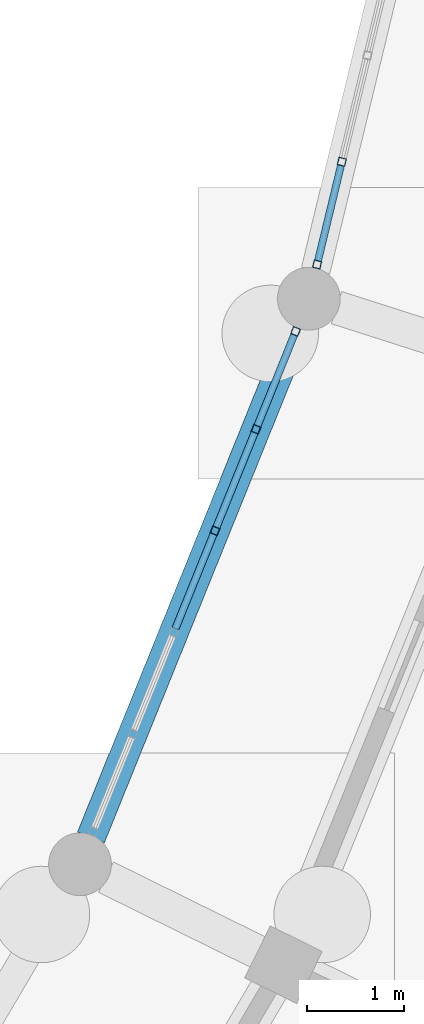
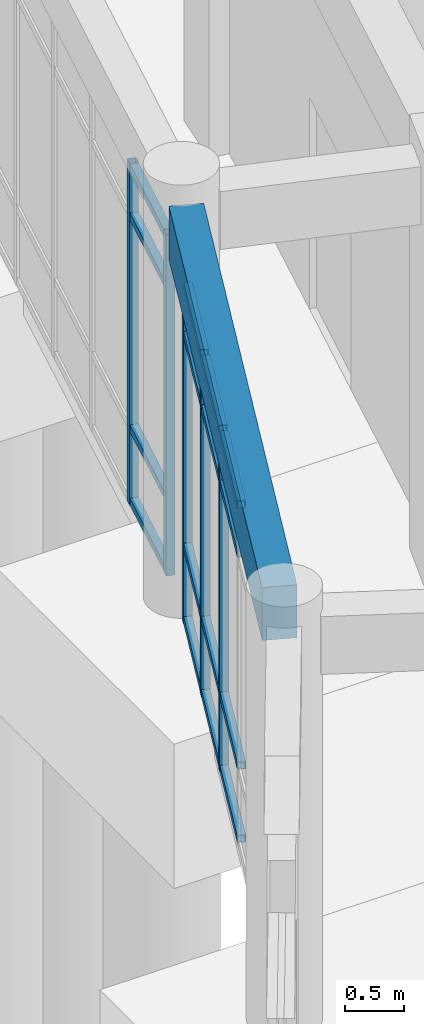
# One storey, part 54 of 153: 21 members, 1 beam, 2 elements without a shape of their own.
"""IFC4 building model written with IfcOpenShell, lengths in metres."""

from ifc_helpers import new_model, si_unit, direction, frame, origin, origin_2d, place, context, subcontext, project, spatial, rectangle, hollow_rectangle, extrude, material, material_profile, profile_set, type_object, element, aggregate, save


model = new_model("IFC4")

# Units and contexts
model_context = context("Model", 3, precision=1e-05, world=origin(), true_north=direction((0.0, 1.0)))
body_context = subcontext(model_context, "Body", "Model", "MODEL_VIEW")
ifc_project = project(units=[si_unit("LENGTHUNIT", "METRE"), si_unit("AREAUNIT", "SQUARE_METRE"), si_unit("VOLUMEUNIT", "CUBIC_METRE"), si_unit("PLANEANGLEUNIT", "RADIAN"), si_unit("MASSUNIT", "GRAM", prefix="KILO")], contexts=[model_context])

# Site, building, storey
site_placement = place(None, origin())
site = spatial("IfcSite", under=ifc_project, at=site_placement, CompositionType="ELEMENT")
building_placement = place(site_placement, origin())
building = spatial("IfcBuilding", under=site, at=building_placement, Name="Celadon Cloister-Ring School", CompositionType="ELEMENT")
storey_placement = place(building_placement, origin())
storey = spatial("IfcBuildingStorey", under=building, at=storey_placement, Name="L00", CompositionType="ELEMENT", Elevation=0.0)

# Curtain wall, members
ifc_material_1 = material(Name="Aluminium EN AW-6063 T6", Category="aluminium")
curtain_wall_type = type_object("IfcCurtainWallType", Name="CW-01", PredefinedType="USERDEFINED", material=ifc_material_1)
curtain_wall_1_placement = place(storey_placement, origin())
curtain_wall_1 = element("IfcCurtainWall", 1, at=curtain_wall_1_placement, inside=storey, type_object=curtain_wall_type, Name="Curtain Wall 0015", ObjectType="CURTAIN WALL", PredefinedType="USERDEFINED")
ifc_material_2 = material(Name="Aluminium EN AW-6063 T6", Category="aluminium")
ifc_material_profile_1 = material_profile(ifc_material_2, hollow_rectangle(XDim=0.080078125, YDim=0.080078125, WallThickness=0.00390625, at=origin_2d()), Name="RHS80X80X4")
ifc_profile_set_1 = profile_set([ifc_material_profile_1], Name="Aluminium EN AW-6063 T6")
member_type_1 = type_object("IfcMemberType", Name="CM-03", PredefinedType="MULLION", material=ifc_profile_set_1)
member_1_placement = place(storey_placement, frame((126.6396484375, 43.570068359375, 0.0), z_axis=(0.0, 0.0, 1.0), x_axis=(-0.927009611847, 0.375037570843, 0.0)))
member_1 = element("IfcMember", 2, at=member_1_placement, type_object=member_type_1, Name="CW-01 mullion 4", PredefinedType="MULLION", context=body_context, shape_type="SweptSolid", body=[
    extrude(hollow_rectangle(XDim=0.080078125, YDim=0.080078125, WallThickness=0.00390625, at=origin_2d()), origin(), (0.0, 0.0, 1.0), 3.550048828125),
])
member_2_placement = place(storey_placement, frame((127.064697265625, 44.62109375, 0.0), z_axis=(0.0, 0.0, 1.0), x_axis=(-0.927009611847, 0.375037570843, 0.0)))
member_2 = element("IfcMember", 3, at=member_2_placement, type_object=member_type_1, Name="CW-01 mullion 5", PredefinedType="MULLION", context=body_context, shape_type="SweptSolid", body=[
    extrude(hollow_rectangle(XDim=0.080078125, YDim=0.080078125, WallThickness=0.00390625, at=origin_2d()), origin(), (0.0, 0.0, 1.0), 3.550048828125),
])
member_3_placement = place(storey_placement, frame((127.47509765625, 45.635009765625, 0.0), z_axis=(0.0, 0.0, 1.0), x_axis=(-0.927009611847, 0.375037570843, 0.0)))
member_3 = element("IfcMember", 4, at=member_3_placement, type_object=member_type_1, Name="CW-01 mullion 6", PredefinedType="MULLION", context=body_context, shape_type="SweptSolid", body=[
    extrude(hollow_rectangle(XDim=0.080078125, YDim=0.080078125, WallThickness=0.00390625, at=origin_2d()), origin(), (0.0, 0.0, 1.0), 3.550048828125),
])

curtain_wall_2_placement = place(storey_placement, origin())
curtain_wall_2 = element("IfcCurtainWall", 5, at=curtain_wall_2_placement, inside=storey, type_object=curtain_wall_type, Name="Curtain Wall 0016", ObjectType="CURTAIN WALL", PredefinedType="USERDEFINED")
member_4_placement = place(storey_placement, frame((127.697265625, 46.327880859375, 0.0), z_axis=(0.0, 0.0, 1.0), x_axis=(-0.972212485146, 0.234100157469, 0.0)))
member_4 = element("IfcMember", 6, at=member_4_placement, type_object=member_type_1, Name="CW-01 mullion 1", PredefinedType="MULLION", context=body_context, shape_type="SweptSolid", body=[
    extrude(hollow_rectangle(XDim=0.080078125, YDim=0.080078125, WallThickness=0.00390625, at=origin_2d()), origin(), (0.0, 0.0, 1.0), 3.550048828125),
])
member_5_placement = place(storey_placement, frame((127.953369140625, 47.39111328125, 0.0), z_axis=(0.0, 0.0, 1.0), x_axis=(-0.972212485146, 0.234100157469, 0.0)))
member_5 = element("IfcMember", 7, at=member_5_placement, type_object=member_type_1, Name="CW-01 mullion 2", PredefinedType="MULLION", context=body_context, shape_type="SweptSolid", body=[
    extrude(hollow_rectangle(XDim=0.080078125, YDim=0.080078125, WallThickness=0.00390625, at=origin_2d()), origin(), (0.0, 0.0, 1.0), 3.550048828125),
])

# Member
ifc_material_3 = material(Name="Aluminium EN AW-6063 T6", Category="aluminium")
ifc_material_profile_2 = material_profile(ifc_material_3, hollow_rectangle(XDim=0.074951171875, YDim=0.074951171875, WallThickness=0.00390625, at=origin_2d()), Name="RHS75X75X4")
ifc_profile_set_2 = profile_set([ifc_material_profile_2], Name="Aluminium EN AW-6063 T6")
member_type_2 = type_object("IfcMemberType", Name="CTM-03", PredefinedType="USERDEFINED", material=ifc_profile_set_2)
member_6_placement = place(storey_placement, frame((126.2294921875, 42.55615234375, 0.03759765625), z_axis=(0.374903584116, 0.927063807198, 0.0), x_axis=(-0.927063807198, 0.374903584116, 0.0)))
member_6 = element("IfcMember", 8, at=member_6_placement, type_object=member_type_2, Name="CW-01 transom 3.1", ObjectType="TRANSOM", PredefinedType="USERDEFINED", context=body_context, shape_type="SweptSolid", body=[
    extrude(hollow_rectangle(XDim=0.074951171875, YDim=0.074951171875, WallThickness=0.00390625, at=origin_2d()), origin(), (0.0, 0.0, 1.0), 1.0537109375),
])

member_7_placement = place(storey_placement, frame((126.2294921875, 42.55615234375, 0.800048828125), z_axis=(0.374903584116, 0.927063807198, 0.0), x_axis=(-0.927063807198, 0.374903584116, 0.0)))
member_7 = element("IfcMember", 9, at=member_7_placement, type_object=member_type_2, Name="CW-01 transom 3.2", ObjectType="TRANSOM", PredefinedType="USERDEFINED", context=body_context, shape_type="SweptSolid", body=[
    extrude(hollow_rectangle(XDim=0.074951171875, YDim=0.074951171875, WallThickness=0.00390625, at=origin_2d()), origin(), (0.0, 0.0, 1.0), 1.0537109375),
])

member_8_placement = place(storey_placement, frame((126.2294921875, 42.55615234375, 3.0), z_axis=(0.374903584116, 0.927063807198, 0.0), x_axis=(-0.927063807198, 0.374903584116, 0.0)))
member_8 = element("IfcMember", 10, at=member_8_placement, type_object=member_type_2, Name="CW-01 transom 3.3", ObjectType="TRANSOM", PredefinedType="USERDEFINED", context=body_context, shape_type="SweptSolid", body=[
    extrude(hollow_rectangle(XDim=0.074951171875, YDim=0.074951171875, WallThickness=0.00390625, at=origin_2d()), origin(), (0.0, 0.0, 1.0), 1.0537109375),
])

member_9_placement = place(storey_placement, frame((126.2294921875, 42.55615234375, 3.512451171875), z_axis=(0.374903584116, 0.927063807198, 0.0), x_axis=(-0.927063807198, 0.374903584116, 0.0)))
member_9 = element("IfcMember", 11, at=member_9_placement, type_object=member_type_2, Name="CW-01 transom 3.4", ObjectType="TRANSOM", PredefinedType="USERDEFINED", context=body_context, shape_type="SweptSolid", body=[
    extrude(hollow_rectangle(XDim=0.074951171875, YDim=0.074951171875, WallThickness=0.00390625, at=origin_2d()), origin(), (0.0, 0.0, 1.0), 1.0537109375),
])

member_10_placement = place(storey_placement, frame((126.654541015625, 43.607177734375, 0.03759765625), z_axis=(0.375102699003, 0.926983260475, 0.0), x_axis=(-0.926983260475, 0.375102699003, 0.0)))
member_10 = element("IfcMember", 12, at=member_10_placement, type_object=member_type_2, Name="CW-01 transom 4.1", ObjectType="TRANSOM", PredefinedType="USERDEFINED", context=body_context, shape_type="SweptSolid", body=[
    extrude(hollow_rectangle(XDim=0.074951171875, YDim=0.074951171875, WallThickness=0.00390625, at=origin_2d()), origin(), (0.0, 0.0, 1.0), 1.0537109375),
])

member_11_placement = place(storey_placement, frame((126.654541015625, 43.607177734375, 0.800048828125), z_axis=(0.375102699003, 0.926983260475, 0.0), x_axis=(-0.926983260475, 0.375102699003, 0.0)))
member_11 = element("IfcMember", 13, at=member_11_placement, type_object=member_type_2, Name="CW-01 transom 4.2", ObjectType="TRANSOM", PredefinedType="USERDEFINED", context=body_context, shape_type="SweptSolid", body=[
    extrude(hollow_rectangle(XDim=0.074951171875, YDim=0.074951171875, WallThickness=0.00390625, at=origin_2d()), origin(), (0.0, 0.0, 1.0), 1.0537109375),
])

member_12_placement = place(storey_placement, frame((126.654541015625, 43.607177734375, 3.0), z_axis=(0.375102699003, 0.926983260475, 0.0), x_axis=(-0.926983260475, 0.375102699003, 0.0)))
member_12 = element("IfcMember", 14, at=member_12_placement, type_object=member_type_2, Name="CW-01 transom 4.3", ObjectType="TRANSOM", PredefinedType="USERDEFINED", context=body_context, shape_type="SweptSolid", body=[
    extrude(hollow_rectangle(XDim=0.074951171875, YDim=0.074951171875, WallThickness=0.00390625, at=origin_2d()), origin(), (0.0, 0.0, 1.0), 1.0537109375),
])

member_13_placement = place(storey_placement, frame((126.654541015625, 43.607177734375, 3.512451171875), z_axis=(0.375102699003, 0.926983260475, 0.0), x_axis=(-0.926983260475, 0.375102699003, 0.0)))
member_13 = element("IfcMember", 15, at=member_13_placement, type_object=member_type_2, Name="CW-01 transom 4.4", ObjectType="TRANSOM", PredefinedType="USERDEFINED", context=body_context, shape_type="SweptSolid", body=[
    extrude(hollow_rectangle(XDim=0.074951171875, YDim=0.074951171875, WallThickness=0.00390625, at=origin_2d()), origin(), (0.0, 0.0, 1.0), 1.0537109375),
])

member_14_placement = place(storey_placement, frame((127.079833984375, 44.657958984375, 0.03759765625), z_axis=(0.374916877298, 0.927058431339, 0.0), x_axis=(-0.927058431339, 0.374916877298, 0.0)))
member_14 = element("IfcMember", 16, at=member_14_placement, type_object=member_type_2, Name="CW-01 transom 5.1", ObjectType="TRANSOM", PredefinedType="USERDEFINED", context=body_context, shape_type="SweptSolid", body=[
    extrude(hollow_rectangle(XDim=0.074951171875, YDim=0.074951171875, WallThickness=0.00390625, at=origin_2d()), origin(), (0.0, 0.0, 1.0), 1.013916015625),
])

member_15_placement = place(storey_placement, frame((127.079833984375, 44.657958984375, 0.800048828125), z_axis=(0.374916877298, 0.927058431339, 0.0), x_axis=(-0.927058431339, 0.374916877298, 0.0)))
member_15 = element("IfcMember", 17, at=member_15_placement, type_object=member_type_2, Name="CW-01 transom 5.2", ObjectType="TRANSOM", PredefinedType="USERDEFINED", context=body_context, shape_type="SweptSolid", body=[
    extrude(hollow_rectangle(XDim=0.074951171875, YDim=0.074951171875, WallThickness=0.00390625, at=origin_2d()), origin(), (0.0, 0.0, 1.0), 1.013916015625),
])

member_16_placement = place(storey_placement, frame((127.079833984375, 44.657958984375, 3.0), z_axis=(0.374916877298, 0.927058431339, 0.0), x_axis=(-0.927058431339, 0.374916877298, 0.0)))
member_16 = element("IfcMember", 18, at=member_16_placement, type_object=member_type_2, Name="CW-01 transom 5.3", ObjectType="TRANSOM", PredefinedType="USERDEFINED", context=body_context, shape_type="SweptSolid", body=[
    extrude(hollow_rectangle(XDim=0.074951171875, YDim=0.074951171875, WallThickness=0.00390625, at=origin_2d()), origin(), (0.0, 0.0, 1.0), 1.013916015625),
])

member_17_placement = place(storey_placement, frame((127.079833984375, 44.657958984375, 3.512451171875), z_axis=(0.374916877298, 0.927058431339, 0.0), x_axis=(-0.927058431339, 0.374916877298, 0.0)))
member_17 = element("IfcMember", 19, at=member_17_placement, type_object=member_type_2, Name="CW-01 transom 5.4", ObjectType="TRANSOM", PredefinedType="USERDEFINED", context=body_context, shape_type="SweptSolid", body=[
    extrude(hollow_rectangle(XDim=0.074951171875, YDim=0.074951171875, WallThickness=0.00390625, at=origin_2d()), origin(), (0.0, 0.0, 1.0), 1.013916015625),
])

aggregate(curtain_wall_1, [member_1, member_2, member_3, member_6, member_7, member_8, member_9, member_10, member_11, member_12, member_13, member_14, member_15, member_16, member_17])

member_18_placement = place(storey_placement, frame((127.706787109375, 46.36669921875, 0.03759765625), z_axis=(0.234083346543, 0.972216532914, 0.0), x_axis=(-0.972216532914, 0.234083346543, 0.0)))
member_18 = element("IfcMember", 20, at=member_18_placement, type_object=member_type_2, Name="CW-01 transom 1.1", ObjectType="TRANSOM", PredefinedType="USERDEFINED", context=body_context, shape_type="SweptSolid", body=[
    extrude(hollow_rectangle(XDim=0.074951171875, YDim=0.074951171875, WallThickness=0.00390625, at=origin_2d()), origin(), (0.0, 0.0, 1.0), 1.013671875),
])

member_19_placement = place(storey_placement, frame((127.706787109375, 46.36669921875, 0.800048828125), z_axis=(0.234083346543, 0.972216532914, 0.0), x_axis=(-0.972216532914, 0.234083346543, 0.0)))
member_19 = element("IfcMember", 21, at=member_19_placement, type_object=member_type_2, Name="CW-01 transom 1.2", ObjectType="TRANSOM", PredefinedType="USERDEFINED", context=body_context, shape_type="SweptSolid", body=[
    extrude(hollow_rectangle(XDim=0.074951171875, YDim=0.074951171875, WallThickness=0.00390625, at=origin_2d()), origin(), (0.0, 0.0, 1.0), 1.013671875),
])

member_20_placement = place(storey_placement, frame((127.706787109375, 46.36669921875, 3.0), z_axis=(0.234083346543, 0.972216532914, 0.0), x_axis=(-0.972216532914, 0.234083346543, 0.0)))
member_20 = element("IfcMember", 22, at=member_20_placement, type_object=member_type_2, Name="CW-01 transom 1.3", ObjectType="TRANSOM", PredefinedType="USERDEFINED", context=body_context, shape_type="SweptSolid", body=[
    extrude(hollow_rectangle(XDim=0.074951171875, YDim=0.074951171875, WallThickness=0.00390625, at=origin_2d()), origin(), (0.0, 0.0, 1.0), 1.013671875),
])

member_21_placement = place(storey_placement, frame((127.706787109375, 46.36669921875, 3.512451171875), z_axis=(0.234083346543, 0.972216532914, 0.0), x_axis=(-0.972216532914, 0.234083346543, 0.0)))
member_21 = element("IfcMember", 23, at=member_21_placement, type_object=member_type_2, Name="CW-01 transom 1.4", ObjectType="TRANSOM", PredefinedType="USERDEFINED", context=body_context, shape_type="SweptSolid", body=[
    extrude(hollow_rectangle(XDim=0.074951171875, YDim=0.074951171875, WallThickness=0.00390625, at=origin_2d()), origin(), (0.0, 0.0, 1.0), 1.013671875),
])

aggregate(curtain_wall_2, [member_4, member_5, member_18, member_19, member_20, member_21])

# Beam
ifc_material_4 = material(Name="Concrete C35/45", Category="concrete")
ifc_material_profile_3 = material_profile(ifc_material_4, rectangle(XDim=0.300048828125, YDim=0.550048828125, at=origin_2d()), Name="RC300X550")
ifc_profile_set_3 = profile_set([ifc_material_profile_3], Name="Concrete C35/45")
beam_type = type_object("IfcBeamType", Name="SP-02", PredefinedType="SPANDREL", material=ifc_profile_set_3)
beam_placement = place(storey_placement, frame((125.35498046875, 40.39404296875, 4.0048828125), z_axis=(0.374950797553, 0.927044712738, 0.0), x_axis=(-0.927044712738, 0.374950797553, 0.0)))
element("IfcBeam", 24, at=beam_placement, inside=storey, type_object=beam_type, Name="Beam 0163", PredefinedType="SPANDREL", context=body_context, shape_type="SweptSolid", body=[
    extrude(rectangle(XDim=0.300048828125, YDim=0.550048828125, at=origin_2d()), origin(), (0.0, 0.0, 1.0), 5.71826171875),
])

save(model, "model.ifc")
